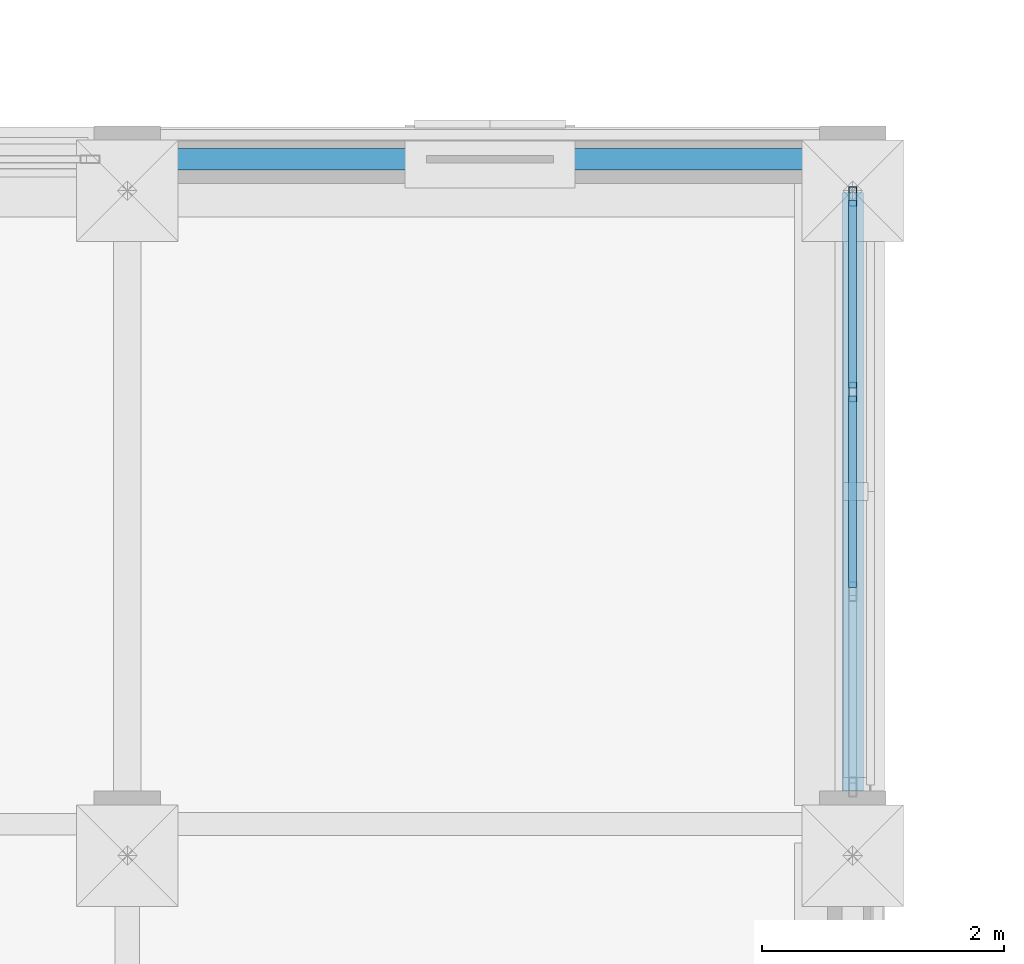
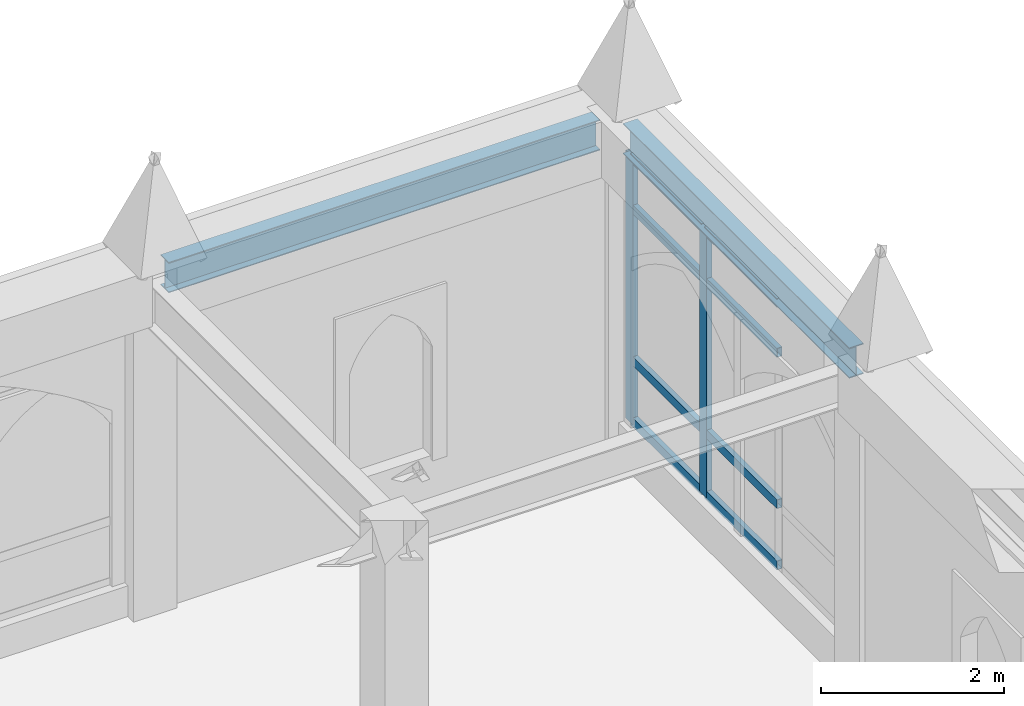
# One storey, part 60 of 108: 10 members, 2 beams, 1 element without a shape of its own.
"""IFC4 building model written with IfcOpenShell, lengths in metres."""

from ifc_helpers import new_model, si_unit, direction, frame, origin, origin_2d, place, context, subcontext, project, spatial, hollow_rectangle, i_section, extrude, material, layer, layer_set, material_profile, profile_set, type_object, element, aggregate, save


model = new_model("IFC4")

# Units and contexts
model_context = context("Model", 3, precision=1e-05, world=origin(), true_north=direction((0.0, 1.0)))
body_context = subcontext(model_context, "Body", "Model", "MODEL_VIEW")
ifc_project = project(units=[si_unit("LENGTHUNIT", "METRE"), si_unit("AREAUNIT", "SQUARE_METRE"), si_unit("VOLUMEUNIT", "CUBIC_METRE"), si_unit("PLANEANGLEUNIT", "RADIAN"), si_unit("MASSUNIT", "GRAM", prefix="KILO")], contexts=[model_context])

# Site, building, storey
site_placement = place(None, origin())
site = spatial("IfcSite", under=ifc_project, at=site_placement, CompositionType="ELEMENT")
building_placement = place(site_placement, origin())
building = spatial("IfcBuilding", under=site, at=building_placement, Name="Cumevento Cable Car Station", CompositionType="ELEMENT")
storey_placement = place(building_placement, frame((0.0, 0.0, 13.5)))
storey = spatial("IfcBuildingStorey", under=building, at=storey_placement, Name="L04", CompositionType="ELEMENT", Elevation=13.5)

# Curtain wall, members
ifc_material_1 = material(Name="Anodised Bronze Aluminium AW-6063-T6", Category="aluminium")
ifc_layer = layer(ifc_material_1, 0.25)
ifc_layer_set = layer_set([ifc_layer], Name="Anodised Bronze Aluminium AW-6063-T6")
curtain_wall_type = type_object("IfcCurtainWallType", Name="Lancet Curtain Wall CW-16 1650", PredefinedType="NOTDEFINED", material=ifc_layer_set)
curtain_wall_placement = place(storey_placement, origin())
curtain_wall = element("IfcCurtainWall", 1, at=curtain_wall_placement, inside=storey, type_object=curtain_wall_type, Name="Lancet Curtain Wall CW-16 L04 #191", PredefinedType="NOTDEFINED")
ifc_material_2 = material(Name="Anodised Bronze Aluminium AW-6063-T6", Category="aluminium")
ifc_material_profile_1 = material_profile(ifc_material_2, hollow_rectangle(XDim=0.06494140625, YDim=0.159912109375, WallThickness=0.00390625, at=origin_2d()), Name="ALUM65x160x4")
ifc_profile_set_1 = profile_set([ifc_material_profile_1], Name="Anodised Bronze Aluminium AW-6063-T6")
member_type_1 = type_object("IfcMemberType", Name="Curtain Mullion CWM-01 ALUM65x160x4", PredefinedType="MULLION", material=ifc_profile_set_1)
member_1_placement = place(storey_placement, frame((142.0, 56.1923828125, 0.52001953125), z_axis=(0.0, 0.0, 1.0), x_axis=(1.0, 0.0, 0.0)))
member_1 = element("IfcMember", 2, at=member_1_placement, type_object=member_type_1, Name="CW-16 mullion 1", PredefinedType="MULLION", context=body_context, shape_type="SweptSolid", body=[
    extrude(hollow_rectangle(XDim=0.06494140625, YDim=0.159912109375, WallThickness=0.00390625, at=origin_2d()), origin(), (0.0, 0.0, 1.0), 3.572998046875),
])
member_2_placement = place(storey_placement, frame((142.0, 54.574951171875, 0.52001953125), z_axis=(0.0, 0.0, 1.0), x_axis=(1.0, 0.0, 0.0)))
member_2 = element("IfcMember", 3, at=member_2_placement, type_object=member_type_1, Name="CW-16 mullion 2", PredefinedType="MULLION", context=body_context, shape_type="SweptSolid", body=[
    extrude(hollow_rectangle(XDim=0.06494140625, YDim=0.159912109375, WallThickness=0.00390625, at=origin_2d()), origin(), (0.0, 0.0, 1.0), 3.572998046875),
])
ifc_material_3 = material(Name="Anodised Bronze Aluminium AW-6063-T6", Category="aluminium")
ifc_material_profile_2 = material_profile(ifc_material_3, hollow_rectangle(XDim=0.06494140625, YDim=0.1201171875, WallThickness=0.00390625, at=origin_2d()), Name="ALUT65x120x4")
ifc_profile_set_2 = profile_set([ifc_material_profile_2], Name="Anodised Bronze Aluminium AW-6063-T6")
member_type_2 = type_object("IfcMemberType", Name="Curtain Transom CWT-01 ALUT65x120x4", PredefinedType="USERDEFINED", material=ifc_profile_set_2)
member_3_placement = place(storey_placement, frame((142.0, 56.159912109375, 0.552490234375), z_axis=(0.0, -1.0, 0.0), x_axis=(1.0, 0.0, 0.0)))
member_3 = element("IfcMember", 4, at=member_3_placement, type_object=member_type_2, Name="CW-16 transom 1.1", ObjectType="TRANSOM", PredefinedType="USERDEFINED", context=body_context, shape_type="SweptSolid", body=[
    extrude(hollow_rectangle(XDim=0.06494140625, YDim=0.1201171875, WallThickness=0.00390625, at=origin_2d()), origin(), (0.0, 0.0, 1.0), 1.552490234375),
])
member_4_placement = place(storey_placement, frame((142.0, 56.159912109375, 1.3701171875), z_axis=(0.0, -1.0, 0.0), x_axis=(1.0, 0.0, 0.0)))
member_4 = element("IfcMember", 5, at=member_4_placement, type_object=member_type_2, Name="CW-16 transom 1.2", ObjectType="TRANSOM", PredefinedType="USERDEFINED", context=body_context, shape_type="SweptSolid", body=[
    extrude(hollow_rectangle(XDim=0.06494140625, YDim=0.1201171875, WallThickness=0.00390625, at=origin_2d()), origin(), (0.0, 0.0, 1.0), 1.552490234375),
])
member_5_placement = place(storey_placement, frame((142.0, 56.159912109375, 3.39306640625), z_axis=(0.0, -1.0, 0.0), x_axis=(1.0, 0.0, 0.0)))
member_5 = element("IfcMember", 6, at=member_5_placement, type_object=member_type_2, Name="CW-16 transom 1.3", ObjectType="TRANSOM", PredefinedType="USERDEFINED", context=body_context, shape_type="SweptSolid", body=[
    extrude(hollow_rectangle(XDim=0.06494140625, YDim=0.1201171875, WallThickness=0.00390625, at=origin_2d()), origin(), (0.0, 0.0, 1.0), 1.552490234375),
])
member_6_placement = place(storey_placement, frame((142.0, 56.159912109375, 4.060546875), z_axis=(0.0, -1.0, 0.0), x_axis=(1.0, 0.0, 0.0)))
member_6 = element("IfcMember", 7, at=member_6_placement, type_object=member_type_2, Name="CW-16 transom 1.4", ObjectType="TRANSOM", PredefinedType="USERDEFINED", context=body_context, shape_type="SweptSolid", body=[
    extrude(hollow_rectangle(XDim=0.06494140625, YDim=0.1201171875, WallThickness=0.00390625, at=origin_2d()), origin(), (0.0, 0.0, 1.0), 1.552490234375),
])
member_7_placement = place(storey_placement, frame((142.0, 54.54248046875, 0.552490234375), z_axis=(0.0, -1.0, 0.0), x_axis=(1.0, 0.0, 0.0)))
member_7 = element("IfcMember", 8, at=member_7_placement, type_object=member_type_2, Name="CW-16 transom 2.1", ObjectType="TRANSOM", PredefinedType="USERDEFINED", context=body_context, shape_type="SweptSolid", body=[
    extrude(hollow_rectangle(XDim=0.06494140625, YDim=0.1201171875, WallThickness=0.00390625, at=origin_2d()), origin(), (0.0, 0.0, 1.0), 1.5849609375),
])
member_8_placement = place(storey_placement, frame((142.0, 54.54248046875, 1.3701171875), z_axis=(0.0, -1.0, 0.0), x_axis=(1.0, 0.0, 0.0)))
member_8 = element("IfcMember", 9, at=member_8_placement, type_object=member_type_2, Name="CW-16 transom 2.2", ObjectType="TRANSOM", PredefinedType="USERDEFINED", context=body_context, shape_type="SweptSolid", body=[
    extrude(hollow_rectangle(XDim=0.06494140625, YDim=0.1201171875, WallThickness=0.00390625, at=origin_2d()), origin(), (0.0, 0.0, 1.0), 1.5849609375),
])
member_9_placement = place(storey_placement, frame((142.0, 54.54248046875, 3.39306640625), z_axis=(0.0, -1.0, 0.0), x_axis=(1.0, 0.0, 0.0)))
member_9 = element("IfcMember", 10, at=member_9_placement, type_object=member_type_2, Name="CW-16 transom 2.3", ObjectType="TRANSOM", PredefinedType="USERDEFINED", context=body_context, shape_type="SweptSolid", body=[
    extrude(hollow_rectangle(XDim=0.06494140625, YDim=0.1201171875, WallThickness=0.00390625, at=origin_2d()), origin(), (0.0, 0.0, 1.0), 1.5849609375),
])
member_10_placement = place(storey_placement, frame((142.0, 54.54248046875, 4.060546875), z_axis=(0.0, -1.0, 0.0), x_axis=(1.0, 0.0, 0.0)))
member_10 = element("IfcMember", 11, at=member_10_placement, type_object=member_type_2, Name="CW-16 transom 2.4", ObjectType="TRANSOM", PredefinedType="USERDEFINED", context=body_context, shape_type="SweptSolid", body=[
    extrude(hollow_rectangle(XDim=0.06494140625, YDim=0.1201171875, WallThickness=0.00390625, at=origin_2d()), origin(), (0.0, 0.0, 1.0), 1.5849609375),
])
aggregate(curtain_wall, [member_1, member_2, member_3, member_4, member_5, member_6, member_7, member_8, member_9, member_10])

# Beams
ifc_material_4 = material(Name="Steel ASTM A572 Grade 50", Category="steel")
ifc_material_profile_3 = material_profile(ifc_material_4, i_section(OverallWidth=0.177978515625, OverallDepth=0.406982421875, WebThickness=0.0078125, FlangeThickness=0.0126953125, at=origin_2d()), Name="W410x60.0")
ifc_profile_set_3 = profile_set([ifc_material_profile_3], Name="Steel ASTM A572 Grade 50")
beam_type = type_object("IfcBeamType", Name="Structural Spandrel SP-01 W410x60.0", PredefinedType="SPANDREL", material=ifc_profile_set_3)
beam_1_placement = place(storey_placement, frame((136.27490234375, 56.5, 4.29638671875), z_axis=(1.0, 0.0, 0.0), x_axis=(0.0, 1.0, 0.0)))
element("IfcBeam", 12, at=beam_1_placement, inside=storey, type_object=beam_type, Name="Beam SP-01 L04 #1489", PredefinedType="SPANDREL", context=body_context, shape_type="SweptSolid", body=[
    extrude(i_section(OverallWidth=0.177978515625, OverallDepth=0.406982421875, WebThickness=0.0078125, FlangeThickness=0.0126953125, at=origin_2d()), origin(), (0.0, 0.0, 1.0), 5.4501953125),
])
beam_2_placement = place(storey_placement, frame((142.0, 51.27490234375, 4.29638671875), z_axis=(0.0, 1.0, 0.0), x_axis=(-1.0, 0.0, 0.0)))
element("IfcBeam", 13, at=beam_2_placement, inside=storey, type_object=beam_type, Name="Beam SP-01 L04 #1494", PredefinedType="SPANDREL", context=body_context, shape_type="SweptSolid", body=[
    extrude(i_section(OverallWidth=0.177978515625, OverallDepth=0.406982421875, WebThickness=0.0078125, FlangeThickness=0.0126953125, at=origin_2d()), origin(), (0.0, 0.0, 1.0), 4.9501953125),
])

save(model, "model.ifc")
